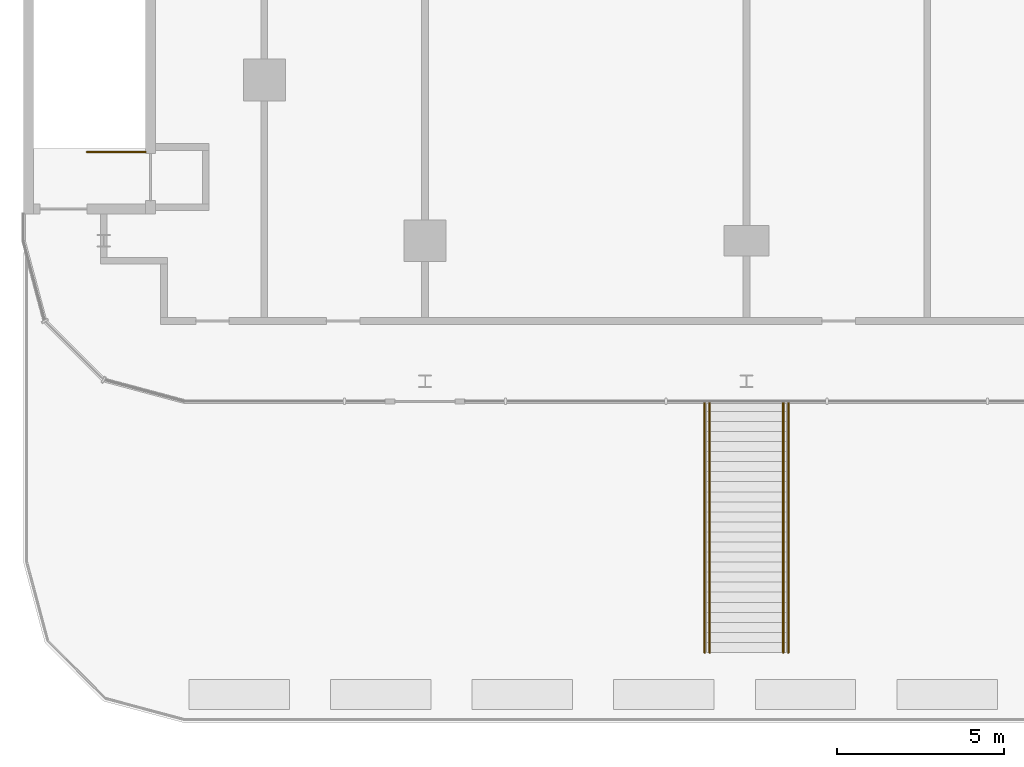
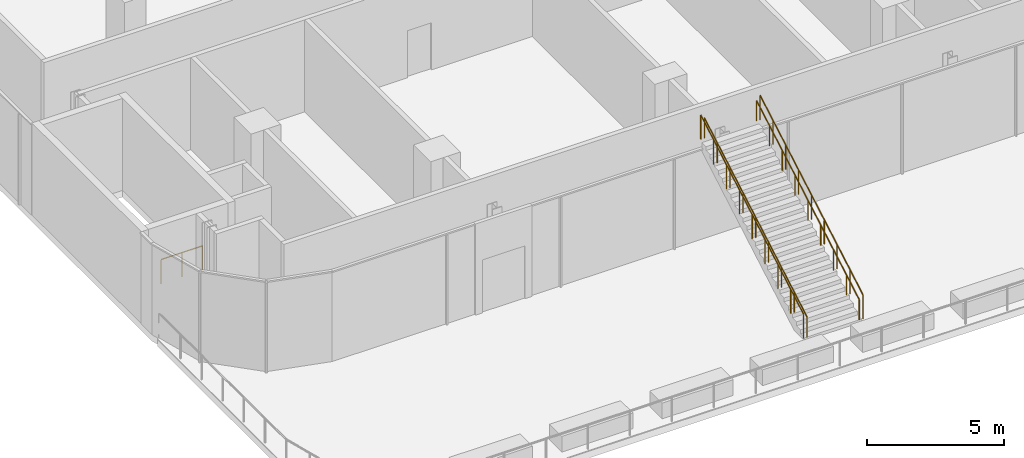
# One storey, part 27 of 32: 5 railings.
"""IFC4 building model written with IfcOpenShell, lengths in metres."""

from ifc_helpers import new_model, si_unit, direction, frame, origin, origin_2d, place, context, subcontext, project, spatial, circle, extrude, material, type_object, element, save


model = new_model("IFC4")

# Units and contexts
model_context = context("Model", 3, precision=1e-05, world=origin(), true_north=direction((0.0, 1.0)))
body_context = subcontext(model_context, "Body", "Model", "MODEL_VIEW")
ifc_project = project(units=[si_unit("LENGTHUNIT", "METRE"), si_unit("AREAUNIT", "SQUARE_METRE"), si_unit("VOLUMEUNIT", "CUBIC_METRE"), si_unit("PLANEANGLEUNIT", "RADIAN"), si_unit("MASSUNIT", "GRAM", prefix="KILO")], contexts=[model_context])

# Site, building, storey
site_placement = place(None, origin())
site = spatial("IfcSite", under=ifc_project, at=site_placement, CompositionType="ELEMENT")
building_placement = place(site_placement, origin())
building = spatial("IfcBuilding", under=site, at=building_placement, Name="Madar Terraces", CompositionType="ELEMENT")
storey_placement = place(building_placement, frame((0.0, 0.0, 19.5)))
storey = spatial("IfcBuildingStorey", under=building, at=storey_placement, Name="L04", CompositionType="ELEMENT", Elevation=19.5)

# Railings
ifc_material_1 = material(Name="Glass, safety glazing, with stainless steel posts", Category="steel")
railing_type_1 = type_object("IfcRailingType", Name="Cascade stair guard 1100", PredefinedType="GUARDRAIL", material=ifc_material_1)
for number, where, name in (
    (1, (13.14990234375, -12.300048828125, 0.173095703125), "Cascade stair guard L05 1"),
    (2, (15.64990234375, -12.300048828125, 0.173095703125), "Cascade stair guard L05 1"),
):
    element("IfcRailing", number, at=place(storey_placement, frame(where)), inside=storey, type_object=railing_type_1, Name=name, PredefinedType="GUARDRAIL", context=body_context, shape_type="SweptSolid", body=[
        extrude(circle(Radius=0.02392578125, at=origin_2d()), frame((0.0, 0.0, 1.076171875), z_axis=(0.0, 0.866186524876, 0.499720826184), x_axis=(-1.0, 0.0, 0.0)), (0.0, 0.0, 1.0), 8.65869140625),
        extrude(circle(Radius=0.02099609375, at=origin_2d()), origin(), (0.0, 0.0, 1.0), 1.052001953125),
        extrude(circle(Radius=0.02099609375, at=origin_2d()), frame((0.0, 0.9375, 0.540771484375)), (0.0, 0.0, 1.0), 1.052001953125),
        extrude(circle(Radius=0.02099609375, at=origin_2d()), frame((0.0, 1.875, 1.081787109375)), (0.0, 0.0, 1.0), 1.052001953125),
        extrude(circle(Radius=0.02099609375, at=origin_2d()), frame((0.0, 2.8125, 1.62255859375)), (0.0, 0.0, 1.0), 1.052001953125),
        extrude(circle(Radius=0.02099609375, at=origin_2d()), frame((0.0, 3.75, 2.16357421875)), (0.0, 0.0, 1.0), 1.052001953125),
        extrude(circle(Radius=0.02099609375, at=origin_2d()), frame((0.0, 4.6875, 2.704345703125)), (0.0, 0.0, 1.0), 1.052001953125),
        extrude(circle(Radius=0.02099609375, at=origin_2d()), frame((0.0, 5.625, 3.2451171875)), (0.0, 0.0, 1.0), 1.052001953125),
        extrude(circle(Radius=0.02099609375, at=origin_2d()), frame((0.0, 6.5625, 3.7861328125)), (0.0, 0.0, 1.0), 1.052001953125),
        extrude(circle(Radius=0.02099609375, at=origin_2d()), frame((0.0, 7.5, 4.326904296875)), (0.0, 0.0, 1.0), 1.052001953125),
    ])
ifc_material_2 = material(Name="Stainless steel", Category="steel")
railing_type_2 = type_object("IfcRailingType", Name="Cascade stair handrail 920", PredefinedType="HANDRAIL", material=ifc_material_2)
for number, where, name in (
    (3, (13.300048828125, -12.300048828125, 0.173095703125), "Cascade stair handrail L05 1"),
    (4, (15.5, -12.300048828125, 0.173095703125), "Cascade stair handrail L05 1"),
):
    element("IfcRailing", number, at=place(storey_placement, frame(where)), inside=storey, type_object=railing_type_2, Name=name, PredefinedType="HANDRAIL", context=body_context, shape_type="SweptSolid", body=[
        extrude(circle(Radius=0.02392578125, at=origin_2d()), frame((0.0, 0.0, 0.89599609375), z_axis=(0.0, 0.866186524876, 0.499720826184), x_axis=(-1.0, 0.0, 0.0)), (0.0, 0.0, 1.0), 8.65869140625),
        extrude(circle(Radius=0.02099609375, at=origin_2d()), origin(), (0.0, 0.0, 1.0), 0.871826171875),
        extrude(circle(Radius=0.02099609375, at=origin_2d()), frame((0.0, 0.9375, 0.540771484375)), (0.0, 0.0, 1.0), 0.871826171875),
        extrude(circle(Radius=0.02099609375, at=origin_2d()), frame((0.0, 1.875, 1.081787109375)), (0.0, 0.0, 1.0), 0.871826171875),
        extrude(circle(Radius=0.02099609375, at=origin_2d()), frame((0.0, 2.8125, 1.62255859375)), (0.0, 0.0, 1.0), 0.871826171875),
        extrude(circle(Radius=0.02099609375, at=origin_2d()), frame((0.0, 3.75, 2.16357421875)), (0.0, 0.0, 1.0), 0.871826171875),
        extrude(circle(Radius=0.02099609375, at=origin_2d()), frame((0.0, 4.6875, 2.704345703125)), (0.0, 0.0, 1.0), 0.871826171875),
        extrude(circle(Radius=0.02099609375, at=origin_2d()), frame((0.0, 5.625, 3.2451171875)), (0.0, 0.0, 1.0), 0.871826171875),
        extrude(circle(Radius=0.02099609375, at=origin_2d()), frame((0.0, 6.5625, 3.7861328125)), (0.0, 0.0, 1.0), 0.871826171875),
        extrude(circle(Radius=0.02099609375, at=origin_2d()), frame((0.0, 7.5, 4.326904296875)), (0.0, 0.0, 1.0), 0.871826171875),
    ])
ifc_material_3 = material(Name="Stainless steel railing", Category="steel")
railing_type_3 = type_object("IfcRailingType", Name="Stair guard 1100", PredefinedType="GUARDRAIL", material=ifc_material_3)
railing_placement = place(storey_placement, frame((-3.550048828125, 2.64990234375, 0.0)))
element("IfcRailing", 5, at=railing_placement, inside=storey, type_object=railing_type_3, Name="L04 PS1 top well guard 1", PredefinedType="GUARDRAIL", context=body_context, shape_type="SweptSolid", body=[
    extrude(circle(Radius=0.02392578125, at=origin_2d()), frame((0.0, 0.0, 1.076171875), z_axis=(-1.0, 0.0, 0.0), x_axis=(0.0, -1.0, 0.0)), (0.0, 0.0, 1.0), 1.75),
    extrude(circle(Radius=0.02099609375, at=origin_2d()), origin(), (0.0, 0.0, 1.0), 1.052001953125),
    extrude(circle(Radius=0.02099609375, at=origin_2d()), frame((-0.875, 0.0, 0.0)), (0.0, 0.0, 1.0), 1.052001953125),
    extrude(circle(Radius=0.02099609375, at=origin_2d()), frame((-1.75, 0.0, 0.0)), (0.0, 0.0, 1.0), 1.052001953125),
])

save(model, "model.ifc")
